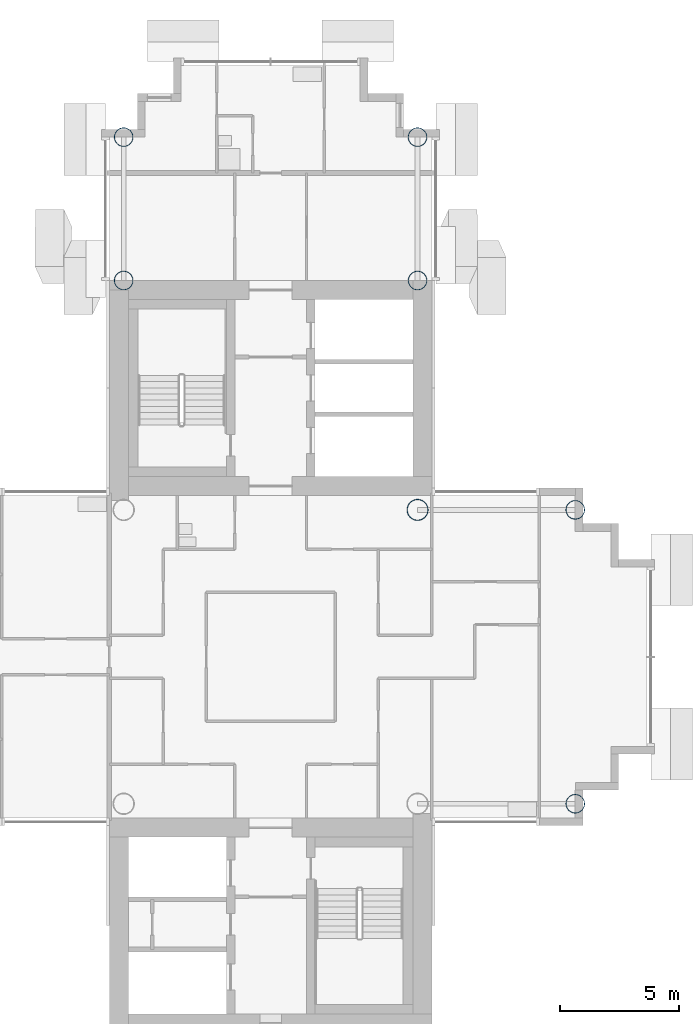
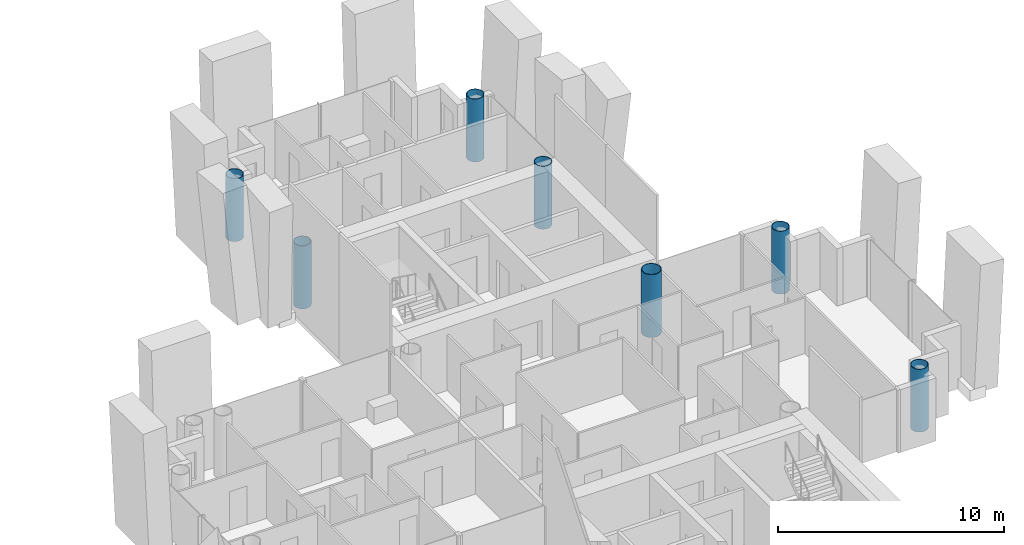
# One storey, part 2 of 19: 7 columns.
"""IFC4 building model written with IfcOpenShell, lengths in metres."""

from ifc_helpers import new_model, si_unit, direction, frame, origin, origin_2d, place, context, subcontext, project, spatial, hollow_circle, extrude, material, material_profile, profile_set, type_object, element, save


model = new_model("IFC4")

# Units and contexts
model_context = context("Model", 3, precision=1e-05, world=origin(), true_north=direction((0.0, 1.0)))
body_context = subcontext(model_context, "Body", "Model", "MODEL_VIEW")
ifc_project = project(units=[si_unit("LENGTHUNIT", "METRE"), si_unit("AREAUNIT", "SQUARE_METRE"), si_unit("VOLUMEUNIT", "CUBIC_METRE"), si_unit("PLANEANGLEUNIT", "RADIAN"), si_unit("MASSUNIT", "GRAM", prefix="KILO")], contexts=[model_context])

# Site, building, storey
site_placement = place(None, origin())
site = spatial("IfcSite", under=ifc_project, at=site_placement, CompositionType="ELEMENT")
building_placement = place(site_placement, origin())
building = spatial("IfcBuilding", under=site, at=building_placement, Name="Ipe Terrace Towers", CompositionType="ELEMENT")
storey_placement = place(building_placement, frame((0.0, 0.0, 157.5)))
storey = spatial("IfcBuildingStorey", under=building, at=storey_placement, Name="L43", CompositionType="ELEMENT", Elevation=157.5)

# Columns
ifc_material_1 = material(Name="Steel S355 tube with Concrete C60/75 fill", Category="concrete")
ifc_material_profile_1 = material_profile(ifc_material_1, hollow_circle(Radius=0.39990234375, WallThickness=0.028076171875, at=origin_2d()), Name="CHS-800x28")
ifc_profile_set_1 = profile_set([ifc_material_profile_1], Name="Steel S355 tube with Concrete C60/75 fill")
column_type_1 = type_object("IfcColumnType", Name="CH09 COLUMN CHS-800x28", PredefinedType="COLUMN", material=ifc_profile_set_1)
for number, where, z_axis, x_axis, name in (
    (1, (42.14990234375, 15.75, 0.0), (0.0, 0.0, 1.0), (1.0, 0.0, 0.0), "Column T2-C-A01"),
    (2, (29.85009765625, 15.75, 0.0), (0.0, 0.0, 1.0), (1.0, 0.0, 0.0), "Column T2-C-A02"),
    (3, (42.14990234375, 21.75, 0.0), (0.0, 0.0, 1.0), (1.0, 0.0, 0.0), "Column T2-C-A03"),
    (4, (29.85009765625, 21.75, 0.0), (0.0, 0.0, 1.0), (1.0, 0.0, 0.0), "Column T2-C-A04"),
    (5, (48.75, -6.14990234375, 0.0), (0.0, 0.0, 1.0), (1.0, 0.0, 0.0), "Column T2-C-D01"),
    (6, (48.75, 6.14990234375, 0.0), (0.0, 0.0, 1.0), (1.0, 0.0, 0.0), "Column T2-C-D02"),
):
    element("IfcColumn", number, at=place(storey_placement, frame(where, z_axis=z_axis, x_axis=x_axis)), inside=storey, type_object=column_type_1, Name=name, PredefinedType="COLUMN", context=body_context, shape_type="SweptSolid", body=[
        extrude(hollow_circle(Radius=0.39990234375, WallThickness=0.028076171875, at=origin_2d()), origin(), (0.0, 0.0, 1.0), 3.39990234375),
    ])
ifc_material_2 = material(Name="Steel S355 tube with Concrete C60/75 fill", Category="concrete")
ifc_material_profile_2 = material_profile(ifc_material_2, hollow_circle(Radius=0.449951171875, WallThickness=0.031982421875, at=origin_2d()), Name="CHS-900x32")
ifc_profile_set_2 = profile_set([ifc_material_profile_2], Name="Steel S355 tube with Concrete C60/75 fill")
column_type_2 = type_object("IfcColumnType", Name="CH10 COLUMN CHS-900x32", PredefinedType="COLUMN", material=ifc_profile_set_2)
column_placement = place(storey_placement, frame((42.14990234375, 6.14990234375, 0.0), z_axis=(0.0, 0.0, 1.0), x_axis=(1.0, 0.0, 0.0)))
element("IfcColumn", 7, at=column_placement, inside=storey, type_object=column_type_2, Name="Column T2-C-E02", PredefinedType="COLUMN", context=body_context, shape_type="SweptSolid", body=[
    extrude(hollow_circle(Radius=0.449951171875, WallThickness=0.031982421875, at=origin_2d()), origin(), (0.0, 0.0, 1.0), 3.39990234375),
])

save(model, "model.ifc")
